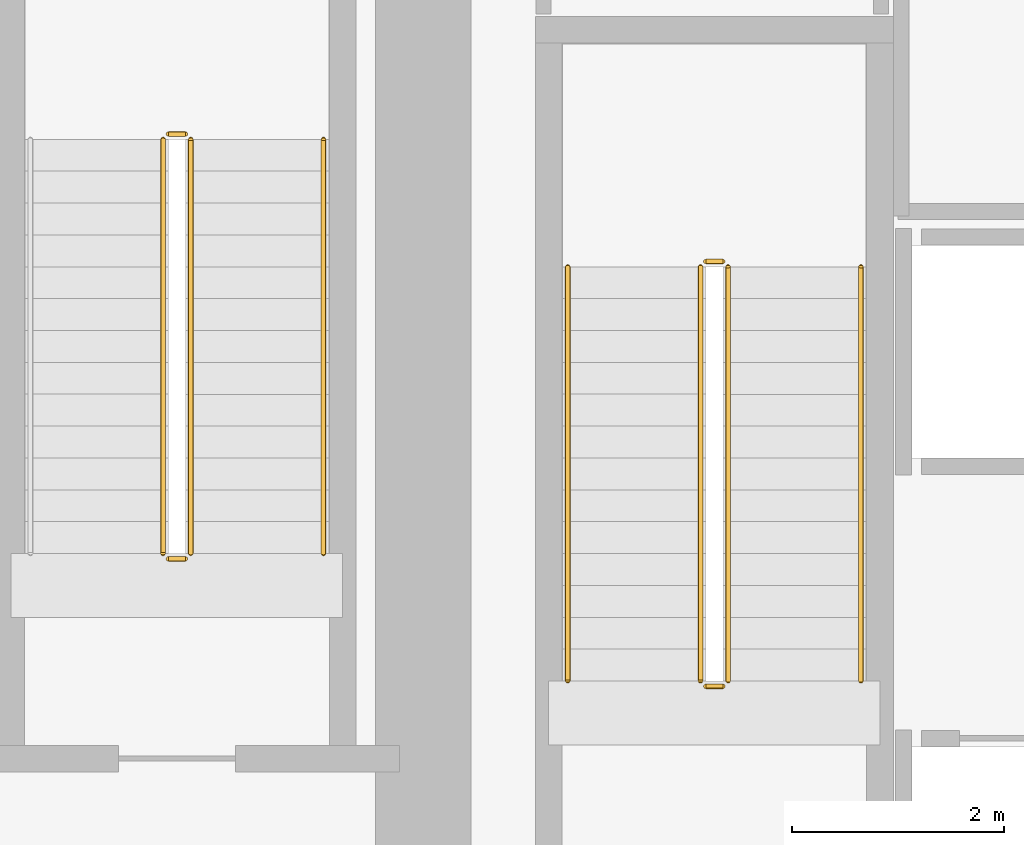
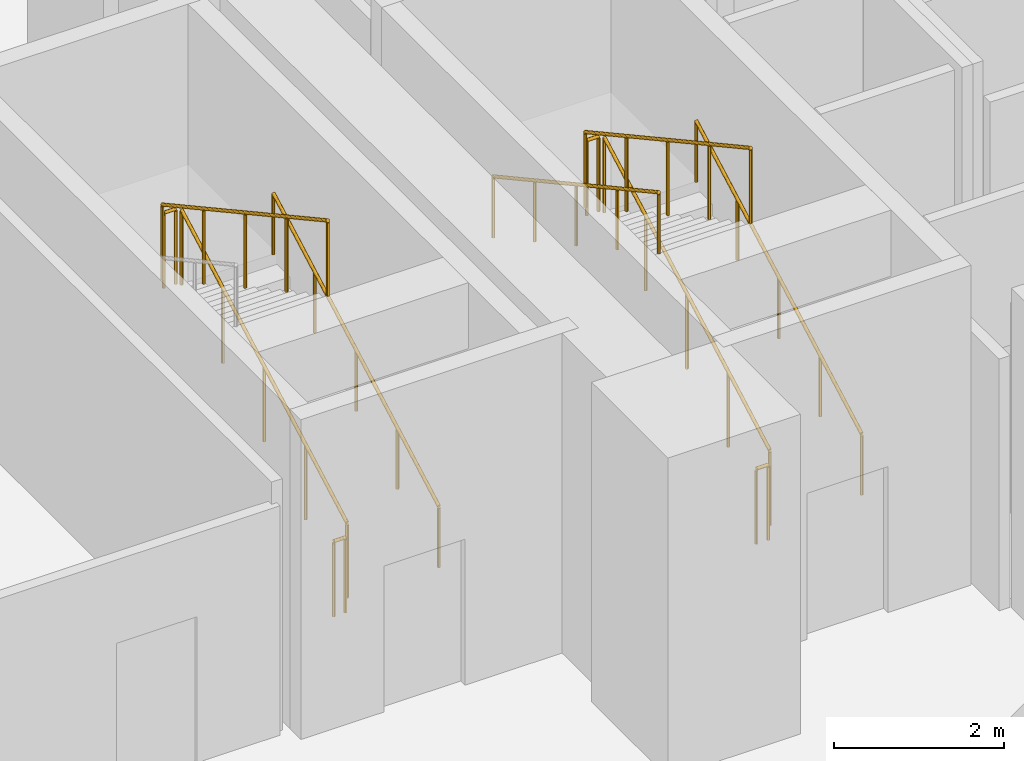
# One storey, part 17 of 20: 11 railings.
"""IFC4 building model written with IfcOpenShell, lengths in metres."""

from ifc_helpers import new_model, si_unit, direction, frame, origin, origin_2d, place, context, subcontext, project, spatial, circle, extrude, material, type_object, element, save


model = new_model("IFC4")

# Units and contexts
model_context = context("Model", 3, precision=1e-05, world=origin(), true_north=direction((0.0, 1.0)))
body_context = subcontext(model_context, "Body", "Model", "MODEL_VIEW")
ifc_project = project(units=[si_unit("LENGTHUNIT", "METRE"), si_unit("AREAUNIT", "SQUARE_METRE"), si_unit("VOLUMEUNIT", "CUBIC_METRE"), si_unit("PLANEANGLEUNIT", "RADIAN"), si_unit("MASSUNIT", "GRAM", prefix="KILO")], contexts=[model_context])

# Site, building, storey
site_placement = place(None, origin())
site = spatial("IfcSite", under=ifc_project, at=site_placement, CompositionType="ELEMENT")
building_placement = place(site_placement, origin())
building = spatial("IfcBuilding", under=site, at=building_placement, Name="Solvane Sanctuary Tower", CompositionType="ELEMENT")
storey_placement = place(building_placement, frame((0.0, 0.0, 18.39990234375)))
storey = spatial("IfcBuildingStorey", under=building, at=storey_placement, Name="L05", CompositionType="ELEMENT", Elevation=18.39990234375)

# Railings
ifc_material = material(Name="Architectural Stainless Steel 316", Category="steel")
railing_type_1 = type_object("IfcRailingType", Name="Railing GR-BALC-1150", PredefinedType="BALUSTRADE", material=ifc_material)
railing_1_placement = place(storey_placement, frame((17.919921875, 19.699951171875, 0.164306640625)))
element("IfcRailing", 1, at=railing_1_placement, inside=storey, type_object=railing_type_1, Name="L05 ST-1 stair guard 1", PredefinedType="BALUSTRADE", context=body_context, shape_type="SweptSolid", body=[
    extrude(circle(Radius=0.02392578125, at=origin_2d()), frame((0.0, 0.0, 1.076171875), z_axis=(0.0, 0.877101224295, 0.480305571839), x_axis=(-1.0, 0.0, 0.0)), (0.0, 0.0, 1.0), 4.446533203125),
    extrude(circle(Radius=0.02099609375, at=origin_2d()), origin(), (0.0, 0.0, 1.0), 1.052001953125),
    extrude(circle(Radius=0.02099609375, at=origin_2d()), frame((0.0, 0.97509765625, 0.533935546875)), (0.0, 0.0, 1.0), 1.052001953125),
    extrude(circle(Radius=0.02099609375, at=origin_2d()), frame((0.0, 1.9501953125, 1.06787109375)), (0.0, 0.0, 1.0), 1.052001953125),
    extrude(circle(Radius=0.02099609375, at=origin_2d()), frame((0.0, 2.925048828125, 1.601806640625)), (0.0, 0.0, 1.0), 1.052001953125),
    extrude(circle(Radius=0.02099609375, at=origin_2d()), frame((0.0, 3.900146484375, 2.1357421875)), (0.0, 0.0, 1.0), 1.052001953125),
])
railing_2_placement = place(storey_placement, frame((17.8701171875, 23.64990234375, 2.300048828125)))
element("IfcRailing", 2, at=railing_2_placement, inside=storey, type_object=railing_type_1, Name="L05 ST-1 stair guard 2", PredefinedType="BALUSTRADE", context=body_context, shape_type="SweptSolid", body=[
    extrude(circle(Radius=0.02392578125, at=origin_2d()), frame((0.0, 0.0, 1.076171875), z_axis=(-1.0, 0.0, 0.0), x_axis=(0.0, -1.0, 0.0)), (0.0, 0.0, 1.0), 0.16015625),
    extrude(circle(Radius=0.02099609375, at=origin_2d()), origin(), (0.0, 0.0, 1.0), 1.052001953125),
    extrude(circle(Radius=0.02099609375, at=origin_2d()), frame((-0.16015625, 0.0, 0.0)), (0.0, 0.0, 1.0), 1.052001953125),
])
railing_3_placement = place(storey_placement, frame((17.659912109375, 23.60009765625, 2.46435546875)))
element("IfcRailing", 3, at=railing_3_placement, inside=storey, type_object=railing_type_1, Name="L05 ST-1 stair guard 3", PredefinedType="BALUSTRADE", context=body_context, shape_type="SweptSolid", body=[
    extrude(circle(Radius=0.02392578125, at=origin_2d()), frame((0.0, 0.0, 1.076171875), z_axis=(0.0, -0.877101224295, 0.480305571839), x_axis=(1.0, 0.0, 0.0)), (0.0, 0.0, 1.0), 4.446533203125),
    extrude(circle(Radius=0.02099609375, at=origin_2d()), origin(), (0.0, 0.0, 1.0), 1.052001953125),
    extrude(circle(Radius=0.02099609375, at=origin_2d()), frame((0.0, -0.97509765625, 0.533935546875)), (0.0, 0.0, 1.0), 1.052001953125),
    extrude(circle(Radius=0.02099609375, at=origin_2d()), frame((0.0, -1.9501953125, 1.06787109375)), (0.0, 0.0, 1.0), 1.052001953125),
    extrude(circle(Radius=0.02099609375, at=origin_2d()), frame((0.0, -2.925048828125, 1.601806640625)), (0.0, 0.0, 1.0), 1.052001953125),
    extrude(circle(Radius=0.02099609375, at=origin_2d()), frame((0.0, -3.900146484375, 2.1357421875)), (0.0, 0.0, 1.0), 1.052001953125),
])
railing_4_placement = place(storey_placement, frame((17.8701171875, 19.64990234375, 0.0)))
element("IfcRailing", 4, at=railing_4_placement, inside=storey, type_object=railing_type_1, Name="L05 ST-1 stair guard 4", PredefinedType="BALUSTRADE", context=body_context, shape_type="SweptSolid", body=[
    extrude(circle(Radius=0.02392578125, at=origin_2d()), frame((0.0, 0.0, 1.076171875), z_axis=(-1.0, 0.0, 0.0), x_axis=(0.0, -1.0, 0.0)), (0.0, 0.0, 1.0), 0.16015625),
    extrude(circle(Radius=0.02099609375, at=origin_2d()), origin(), (0.0, 0.0, 1.0), 1.052001953125),
    extrude(circle(Radius=0.02099609375, at=origin_2d()), frame((-0.16015625, 0.0, 0.0)), (0.0, 0.0, 1.0), 1.052001953125),
])
railing_5_placement = place(storey_placement, frame((12.860107421875, 20.89990234375, 0.164306640625)))
element("IfcRailing", 5, at=railing_5_placement, inside=storey, type_object=railing_type_1, Name="L05 ST-3 stair guard 1", PredefinedType="BALUSTRADE", context=body_context, shape_type="SweptSolid", body=[
    extrude(circle(Radius=0.02392578125, at=origin_2d()), frame((0.0, 0.0, 1.076171875), z_axis=(0.0, 0.877101224295, 0.480305571839), x_axis=(-1.0, 0.0, 0.0)), (0.0, 0.0, 1.0), 4.446533203125),
    extrude(circle(Radius=0.02099609375, at=origin_2d()), origin(), (0.0, 0.0, 1.0), 1.052001953125),
    extrude(circle(Radius=0.02099609375, at=origin_2d()), frame((0.0, 0.97509765625, 0.533935546875)), (0.0, 0.0, 1.0), 1.052001953125),
    extrude(circle(Radius=0.02099609375, at=origin_2d()), frame((0.0, 1.9501953125, 1.06787109375)), (0.0, 0.0, 1.0), 1.052001953125),
    extrude(circle(Radius=0.02099609375, at=origin_2d()), frame((0.0, 2.925048828125, 1.601806640625)), (0.0, 0.0, 1.0), 1.052001953125),
    extrude(circle(Radius=0.02099609375, at=origin_2d()), frame((0.0, 3.900146484375, 2.1357421875)), (0.0, 0.0, 1.0), 1.052001953125),
])
railing_6_placement = place(storey_placement, frame((12.81005859375, 24.85009765625, 2.300048828125)))
element("IfcRailing", 6, at=railing_6_placement, inside=storey, type_object=railing_type_1, Name="L05 ST-3 stair guard 2", PredefinedType="BALUSTRADE", context=body_context, shape_type="SweptSolid", body=[
    extrude(circle(Radius=0.02392578125, at=origin_2d()), frame((0.0, 0.0, 1.076171875), z_axis=(-1.0, 0.0, 0.0), x_axis=(0.0, -1.0, 0.0)), (0.0, 0.0, 1.0), 0.16015625),
    extrude(circle(Radius=0.02099609375, at=origin_2d()), origin(), (0.0, 0.0, 1.0), 1.052001953125),
    extrude(circle(Radius=0.02099609375, at=origin_2d()), frame((-0.16015625, 0.0, 0.0)), (0.0, 0.0, 1.0), 1.052001953125),
])
railing_7_placement = place(storey_placement, frame((12.60009765625, 24.800048828125, 2.46435546875)))
element("IfcRailing", 7, at=railing_7_placement, inside=storey, type_object=railing_type_1, Name="L05 ST-3 stair guard 3", PredefinedType="BALUSTRADE", context=body_context, shape_type="SweptSolid", body=[
    extrude(circle(Radius=0.02392578125, at=origin_2d()), frame((0.0, 0.0, 1.076171875), z_axis=(0.0, -0.877101224295, 0.480305571839), x_axis=(1.0, 0.0, 0.0)), (0.0, 0.0, 1.0), 4.446533203125),
    extrude(circle(Radius=0.02099609375, at=origin_2d()), origin(), (0.0, 0.0, 1.0), 1.052001953125),
    extrude(circle(Radius=0.02099609375, at=origin_2d()), frame((0.0, -0.97509765625, 0.533935546875)), (0.0, 0.0, 1.0), 1.052001953125),
    extrude(circle(Radius=0.02099609375, at=origin_2d()), frame((0.0, -1.9501953125, 1.06787109375)), (0.0, 0.0, 1.0), 1.052001953125),
    extrude(circle(Radius=0.02099609375, at=origin_2d()), frame((0.0, -2.925048828125, 1.601806640625)), (0.0, 0.0, 1.0), 1.052001953125),
    extrude(circle(Radius=0.02099609375, at=origin_2d()), frame((0.0, -3.900146484375, 2.1357421875)), (0.0, 0.0, 1.0), 1.052001953125),
])
railing_8_placement = place(storey_placement, frame((12.81005859375, 20.85009765625, 0.0)))
element("IfcRailing", 8, at=railing_8_placement, inside=storey, type_object=railing_type_1, Name="L05 ST-3 stair guard 4", PredefinedType="BALUSTRADE", context=body_context, shape_type="SweptSolid", body=[
    extrude(circle(Radius=0.02392578125, at=origin_2d()), frame((0.0, 0.0, 1.076171875), z_axis=(-1.0, 0.0, 0.0), x_axis=(0.0, -1.0, 0.0)), (0.0, 0.0, 1.0), 0.16015625),
    extrude(circle(Radius=0.02099609375, at=origin_2d()), origin(), (0.0, 0.0, 1.0), 1.052001953125),
    extrude(circle(Radius=0.02099609375, at=origin_2d()), frame((-0.16015625, 0.0, 0.0)), (0.0, 0.0, 1.0), 1.052001953125),
])
railing_type_2 = type_object("IfcRailingType", Name="Railing HR-STAIR-920", PredefinedType="HANDRAIL", material=ifc_material)
railing_9_placement = place(storey_placement, frame((19.169921875, 19.699951171875, 0.164306640625)))
element("IfcRailing", 9, at=railing_9_placement, inside=storey, type_object=railing_type_2, Name="L05 ST-1 stair handrail 1", PredefinedType="HANDRAIL", context=body_context, shape_type="SweptSolid", body=[
    extrude(circle(Radius=0.02392578125, at=origin_2d()), frame((0.0, 0.0, 0.8759765625), z_axis=(0.0, 0.877101224295, 0.480305571839), x_axis=(-1.0, 0.0, 0.0)), (0.0, 0.0, 1.0), 4.446533203125),
    extrude(circle(Radius=0.02099609375, at=origin_2d()), origin(), (0.0, 0.0, 1.0), 0.851806640625),
    extrude(circle(Radius=0.02099609375, at=origin_2d()), frame((0.0, 0.97509765625, 0.533935546875)), (0.0, 0.0, 1.0), 0.851806640625),
    extrude(circle(Radius=0.02099609375, at=origin_2d()), frame((0.0, 1.9501953125, 1.06787109375)), (0.0, 0.0, 1.0), 0.851806640625),
    extrude(circle(Radius=0.02099609375, at=origin_2d()), frame((0.0, 2.925048828125, 1.601806640625)), (0.0, 0.0, 1.0), 0.851806640625),
    extrude(circle(Radius=0.02099609375, at=origin_2d()), frame((0.0, 3.900146484375, 2.1357421875)), (0.0, 0.0, 1.0), 0.851806640625),
])
railing_10_placement = place(storey_placement, frame((16.409912109375, 23.60009765625, 2.46435546875)))
element("IfcRailing", 10, at=railing_10_placement, inside=storey, type_object=railing_type_2, Name="L05 ST-1 stair handrail 2", PredefinedType="HANDRAIL", context=body_context, shape_type="SweptSolid", body=[
    extrude(circle(Radius=0.02392578125, at=origin_2d()), frame((0.0, 0.0, 0.8759765625), z_axis=(0.0, -0.877101224295, 0.480305571839), x_axis=(1.0, 0.0, 0.0)), (0.0, 0.0, 1.0), 4.446533203125),
    extrude(circle(Radius=0.02099609375, at=origin_2d()), origin(), (0.0, 0.0, 1.0), 0.851806640625),
    extrude(circle(Radius=0.02099609375, at=origin_2d()), frame((0.0, -0.97509765625, 0.533935546875)), (0.0, 0.0, 1.0), 0.851806640625),
    extrude(circle(Radius=0.02099609375, at=origin_2d()), frame((0.0, -1.9501953125, 1.06787109375)), (0.0, 0.0, 1.0), 0.851806640625),
    extrude(circle(Radius=0.02099609375, at=origin_2d()), frame((0.0, -2.925048828125, 1.601806640625)), (0.0, 0.0, 1.0), 0.851806640625),
    extrude(circle(Radius=0.02099609375, at=origin_2d()), frame((0.0, -3.900146484375, 2.1357421875)), (0.0, 0.0, 1.0), 0.851806640625),
])
railing_11_placement = place(storey_placement, frame((14.110107421875, 20.89990234375, 0.164306640625)))
element("IfcRailing", 11, at=railing_11_placement, inside=storey, type_object=railing_type_2, Name="L05 ST-3 stair handrail 1", PredefinedType="HANDRAIL", context=body_context, shape_type="SweptSolid", body=[
    extrude(circle(Radius=0.02392578125, at=origin_2d()), frame((0.0, 0.0, 0.8759765625), z_axis=(0.0, 0.877101224295, 0.480305571839), x_axis=(-1.0, 0.0, 0.0)), (0.0, 0.0, 1.0), 4.446533203125),
    extrude(circle(Radius=0.02099609375, at=origin_2d()), origin(), (0.0, 0.0, 1.0), 0.851806640625),
    extrude(circle(Radius=0.02099609375, at=origin_2d()), frame((0.0, 0.97509765625, 0.533935546875)), (0.0, 0.0, 1.0), 0.851806640625),
    extrude(circle(Radius=0.02099609375, at=origin_2d()), frame((0.0, 1.9501953125, 1.06787109375)), (0.0, 0.0, 1.0), 0.851806640625),
    extrude(circle(Radius=0.02099609375, at=origin_2d()), frame((0.0, 2.925048828125, 1.601806640625)), (0.0, 0.0, 1.0), 0.851806640625),
    extrude(circle(Radius=0.02099609375, at=origin_2d()), frame((0.0, 3.900146484375, 2.1357421875)), (0.0, 0.0, 1.0), 0.851806640625),
])

save(model, "model.ifc")
